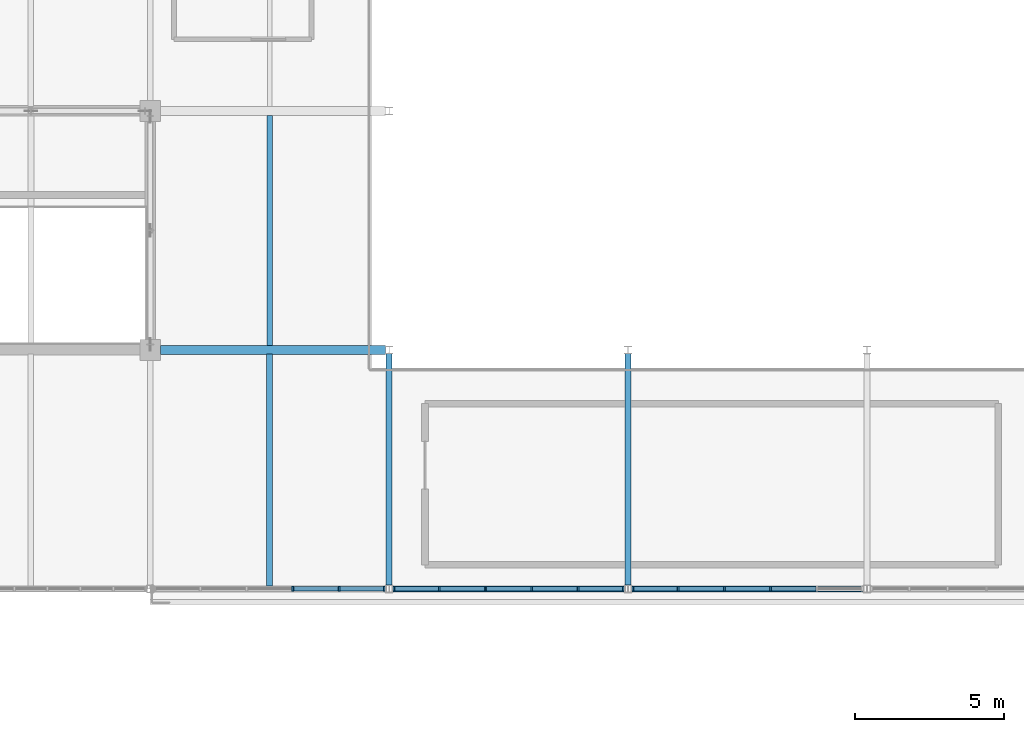
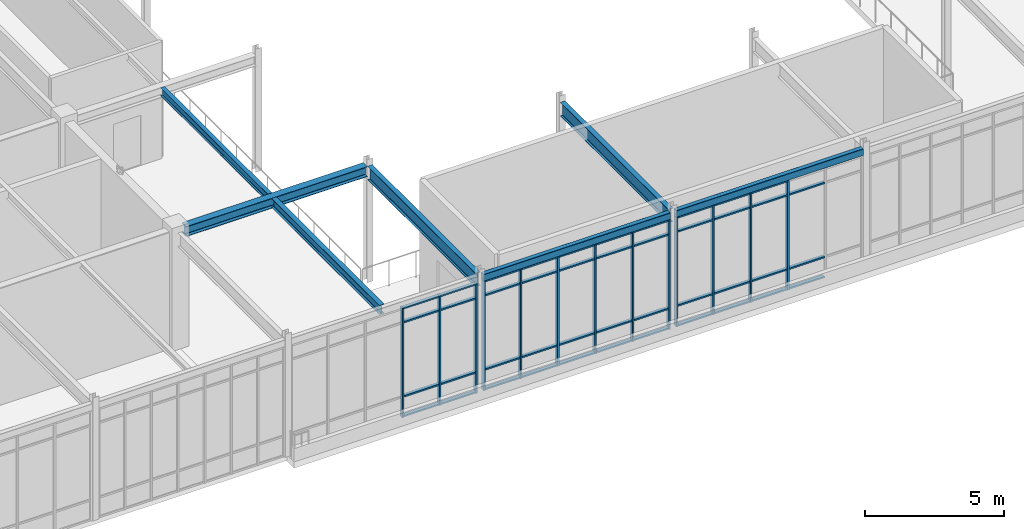
# One storey, part 72 of 184: 56 members, 7 beams, 3 elements without a shape of their own.
"""IFC4 building model written with IfcOpenShell, lengths in metres."""

from ifc_helpers import new_model, si_unit, direction, frame, origin, origin_2d, place, context, subcontext, project, spatial, rectangle, hollow_rectangle, i_section, extrude, material, material_profile, profile_set, type_object, element, aggregate, save


model = new_model("IFC4")

# Units and contexts
model_context = context("Model", 3, precision=1e-05, world=origin(), true_north=direction((0.0, 1.0)))
body_context = subcontext(model_context, "Body", "Model", "MODEL_VIEW")
ifc_project = project(units=[si_unit("LENGTHUNIT", "METRE"), si_unit("AREAUNIT", "SQUARE_METRE"), si_unit("VOLUMEUNIT", "CUBIC_METRE"), si_unit("PLANEANGLEUNIT", "RADIAN"), si_unit("MASSUNIT", "GRAM", prefix="KILO")], contexts=[model_context])

# Site, building, storey
site_placement = place(None, origin())
site = spatial("IfcSite", under=ifc_project, at=site_placement, CompositionType="ELEMENT")
building_placement = place(site_placement, origin())
building = spatial("IfcBuilding", under=site, at=building_placement, Name="Zhaolan Boulevard Law Courts", CompositionType="ELEMENT")
storey_placement = place(building_placement, frame((0.0, 0.0, 5.39990234375)))
storey = spatial("IfcBuildingStorey", under=building, at=storey_placement, Name="L01", CompositionType="ELEMENT", Elevation=5.39990234375)

# Curtain wall, members
ifc_material_1 = material(Name="Thermally broken aluminium and low-E glazing", Category="aluminium")
curtain_wall_type_1 = type_object("IfcCurtainWallType", Name="CURTAIN WALL M8", PredefinedType="USERDEFINED", material=ifc_material_1)
curtain_wall_1_placement = place(storey_placement, origin())
curtain_wall_1 = element("IfcCurtainWall", 1, at=curtain_wall_1_placement, inside=storey, type_object=curtain_wall_type_1, Name="Curtain Wall CW-L01-056", ObjectType="CURTAIN WALL", PredefinedType="USERDEFINED")
ifc_material_2 = material(Name="Fluorocarbon-coated aluminium 6063-T6", Category="aluminium")
ifc_material_profile_1 = material_profile(ifc_material_2, rectangle(XDim=0.179931640625, YDim=0.06494140625, at=origin_2d()), Name="AL65x180")
ifc_profile_set_1 = profile_set([ifc_material_profile_1], Name="Fluorocarbon-coated aluminium 6063-T6")
member_type_1 = type_object("IfcMemberType", Name="CWMULLION 65X180", PredefinedType="MULLION", material=ifc_profile_set_1)
member_1_placement = place(storey_placement, frame((128.774658203125, 6.0, 0.0), z_axis=(0.0, 0.0, 1.0), x_axis=(0.0, 1.0, 0.0)))
member_1 = element("IfcMember", 2, at=member_1_placement, type_object=member_type_1, Name="CW-L01-056 mullion 4", PredefinedType="MULLION", context=body_context, shape_type="SweptSolid", body=[
    extrude(rectangle(XDim=0.179931640625, YDim=0.06494140625, at=origin_2d()), origin(), (0.0, 0.0, 1.0), 4.802978515625),
])
member_2_placement = place(storey_placement, frame((130.32373046875, 6.0, 0.0), z_axis=(0.0, 0.0, 1.0), x_axis=(0.0, 1.0, 0.0)))
member_2 = element("IfcMember", 3, at=member_2_placement, type_object=member_type_1, Name="CW-L01-056 mullion 5", PredefinedType="MULLION", context=body_context, shape_type="SweptSolid", body=[
    extrude(rectangle(XDim=0.179931640625, YDim=0.06494140625, at=origin_2d()), origin(), (0.0, 0.0, 1.0), 4.802978515625),
])
member_3_placement = place(storey_placement, frame((131.840576171875, 6.0, 0.0), z_axis=(0.0, 0.0, 1.0), x_axis=(0.0, 1.0, 0.0)))
member_3 = element("IfcMember", 4, at=member_3_placement, type_object=member_type_1, Name="CW-L01-056 mullion 6", PredefinedType="MULLION", context=body_context, shape_type="SweptSolid", body=[
    extrude(rectangle(XDim=0.179931640625, YDim=0.06494140625, at=origin_2d()), origin(), (0.0, 0.0, 1.0), 4.802978515625),
])

ifc_material_3 = material(Name="Thermally broken aluminium and low-E glazing", Category="aluminium")
curtain_wall_type_2 = type_object("IfcCurtainWallType", Name="CURTAIN WALL M9", PredefinedType="USERDEFINED", material=ifc_material_3)
curtain_wall_2_placement = place(storey_placement, origin())
curtain_wall_2 = element("IfcCurtainWall", 5, at=curtain_wall_2_placement, inside=storey, type_object=curtain_wall_type_2, Name="Curtain Wall CW-L01-057", ObjectType="CURTAIN WALL", PredefinedType="USERDEFINED")
member_4_placement = place(storey_placement, frame((132.159423828125, 6.0, 0.0), z_axis=(0.0, 0.0, 1.0), x_axis=(0.0, 1.0, 0.0)))
member_4 = element("IfcMember", 6, at=member_4_placement, type_object=member_type_1, Name="CW-L01-057 mullion 1", PredefinedType="MULLION", context=body_context, shape_type="SweptSolid", body=[
    extrude(rectangle(XDim=0.179931640625, YDim=0.06494140625, at=origin_2d()), origin(), (0.0, 0.0, 1.0), 4.802978515625),
])
member_5_placement = place(storey_placement, frame((133.67626953125, 6.0, 0.0), z_axis=(0.0, 0.0, 1.0), x_axis=(0.0, 1.0, 0.0)))
member_5 = element("IfcMember", 7, at=member_5_placement, type_object=member_type_1, Name="CW-L01-057 mullion 2", PredefinedType="MULLION", context=body_context, shape_type="SweptSolid", body=[
    extrude(rectangle(XDim=0.179931640625, YDim=0.06494140625, at=origin_2d()), origin(), (0.0, 0.0, 1.0), 4.802978515625),
])
member_6_placement = place(storey_placement, frame((135.225341796875, 6.0, 0.0), z_axis=(0.0, 0.0, 1.0), x_axis=(0.0, 1.0, 0.0)))
member_6 = element("IfcMember", 8, at=member_6_placement, type_object=member_type_1, Name="CW-L01-057 mullion 3", PredefinedType="MULLION", context=body_context, shape_type="SweptSolid", body=[
    extrude(rectangle(XDim=0.179931640625, YDim=0.06494140625, at=origin_2d()), origin(), (0.0, 0.0, 1.0), 4.802978515625),
])
member_7_placement = place(storey_placement, frame((136.774658203125, 6.0, 0.0), z_axis=(0.0, 0.0, 1.0), x_axis=(0.0, 1.0, 0.0)))
member_7 = element("IfcMember", 9, at=member_7_placement, type_object=member_type_1, Name="CW-L01-057 mullion 4", PredefinedType="MULLION", context=body_context, shape_type="SweptSolid", body=[
    extrude(rectangle(XDim=0.179931640625, YDim=0.06494140625, at=origin_2d()), origin(), (0.0, 0.0, 1.0), 4.802978515625),
])
member_8_placement = place(storey_placement, frame((138.32373046875, 6.0, 0.0), z_axis=(0.0, 0.0, 1.0), x_axis=(0.0, 1.0, 0.0)))
member_8 = element("IfcMember", 10, at=member_8_placement, type_object=member_type_1, Name="CW-L01-057 mullion 5", PredefinedType="MULLION", context=body_context, shape_type="SweptSolid", body=[
    extrude(rectangle(XDim=0.179931640625, YDim=0.06494140625, at=origin_2d()), origin(), (0.0, 0.0, 1.0), 4.802978515625),
])
member_9_placement = place(storey_placement, frame((139.840576171875, 6.0, 0.0), z_axis=(0.0, 0.0, 1.0), x_axis=(0.0, 1.0, 0.0)))
member_9 = element("IfcMember", 11, at=member_9_placement, type_object=member_type_1, Name="CW-L01-057 mullion 6", PredefinedType="MULLION", context=body_context, shape_type="SweptSolid", body=[
    extrude(rectangle(XDim=0.179931640625, YDim=0.06494140625, at=origin_2d()), origin(), (0.0, 0.0, 1.0), 4.802978515625),
])

ifc_material_4 = material(Name="Thermally broken aluminium and low-E glazing", Category="aluminium")
curtain_wall_type_3 = type_object("IfcCurtainWallType", Name="CURTAIN WALL M10", PredefinedType="USERDEFINED", material=ifc_material_4)
curtain_wall_3_placement = place(storey_placement, origin())
curtain_wall_3 = element("IfcCurtainWall", 12, at=curtain_wall_3_placement, inside=storey, type_object=curtain_wall_type_3, Name="Curtain Wall CW-L01-058", ObjectType="CURTAIN WALL", PredefinedType="USERDEFINED")
member_10_placement = place(storey_placement, frame((140.159423828125, 6.0, 0.0), z_axis=(0.0, 0.0, 1.0), x_axis=(0.0, 1.0, 0.0)))
member_10 = element("IfcMember", 13, at=member_10_placement, type_object=member_type_1, Name="CW-L01-058 mullion 1", PredefinedType="MULLION", context=body_context, shape_type="SweptSolid", body=[
    extrude(rectangle(XDim=0.179931640625, YDim=0.06494140625, at=origin_2d()), origin(), (0.0, 0.0, 1.0), 4.802978515625),
])
member_11_placement = place(storey_placement, frame((141.67626953125, 6.0, 0.0), z_axis=(0.0, 0.0, 1.0), x_axis=(0.0, 1.0, 0.0)))
member_11 = element("IfcMember", 14, at=member_11_placement, type_object=member_type_1, Name="CW-L01-058 mullion 2", PredefinedType="MULLION", context=body_context, shape_type="SweptSolid", body=[
    extrude(rectangle(XDim=0.179931640625, YDim=0.06494140625, at=origin_2d()), origin(), (0.0, 0.0, 1.0), 4.802978515625),
])
member_12_placement = place(storey_placement, frame((143.225341796875, 6.0, 0.0), z_axis=(0.0, 0.0, 1.0), x_axis=(0.0, 1.0, 0.0)))
member_12 = element("IfcMember", 15, at=member_12_placement, type_object=member_type_1, Name="CW-L01-058 mullion 3", PredefinedType="MULLION", context=body_context, shape_type="SweptSolid", body=[
    extrude(rectangle(XDim=0.179931640625, YDim=0.06494140625, at=origin_2d()), origin(), (0.0, 0.0, 1.0), 4.802978515625),
])
member_13_placement = place(storey_placement, frame((144.774658203125, 6.0, 0.0), z_axis=(0.0, 0.0, 1.0), x_axis=(0.0, 1.0, 0.0)))
member_13 = element("IfcMember", 16, at=member_13_placement, type_object=member_type_1, Name="CW-L01-058 mullion 4", PredefinedType="MULLION", context=body_context, shape_type="SweptSolid", body=[
    extrude(rectangle(XDim=0.179931640625, YDim=0.06494140625, at=origin_2d()), origin(), (0.0, 0.0, 1.0), 4.802978515625),
])

# Member
ifc_material_5 = material(Name="Fluorocarbon-coated aluminium 6063-T6", Category="aluminium")
ifc_material_profile_2 = material_profile(ifc_material_5, rectangle(XDim=0.139892578125, YDim=0.06494140625, at=origin_2d()), Name="AL65x140")
ifc_profile_set_2 = profile_set([ifc_material_profile_2], Name="Fluorocarbon-coated aluminium 6063-T6")
member_type_2 = type_object("IfcMemberType", Name="CWTRANSOM 65X140", PredefinedType="USERDEFINED", material=ifc_profile_set_2)
member_14_placement = place(storey_placement, frame((128.80712890625, 6.0, 0.03271484375), z_axis=(1.0, 0.0, 0.0), x_axis=(0.0, 1.0, 0.0)))
member_14 = element("IfcMember", 17, at=member_14_placement, type_object=member_type_2, Name="CW-L01-056 transom 4.1", ObjectType="TRANSOM", PredefinedType="USERDEFINED", context=body_context, shape_type="SweptSolid", body=[
    extrude(rectangle(XDim=0.139892578125, YDim=0.06494140625, at=origin_2d()), origin(), (0.0, 0.0, 1.0), 1.484130859375),
])

member_15_placement = place(storey_placement, frame((128.80712890625, 6.0, 0.900146484375), z_axis=(1.0, 0.0, 0.0), x_axis=(0.0, 1.0, 0.0)))
member_15 = element("IfcMember", 18, at=member_15_placement, type_object=member_type_2, Name="CW-L01-056 transom 4.2", ObjectType="TRANSOM", PredefinedType="USERDEFINED", context=body_context, shape_type="SweptSolid", body=[
    extrude(rectangle(XDim=0.139892578125, YDim=0.06494140625, at=origin_2d()), origin(), (0.0, 0.0, 1.0), 1.484130859375),
])

member_16_placement = place(storey_placement, frame((128.80712890625, 6.0, 4.153076171875), z_axis=(1.0, 0.0, 0.0), x_axis=(0.0, 1.0, 0.0)))
member_16 = element("IfcMember", 19, at=member_16_placement, type_object=member_type_2, Name="CW-L01-056 transom 4.3", ObjectType="TRANSOM", PredefinedType="USERDEFINED", context=body_context, shape_type="SweptSolid", body=[
    extrude(rectangle(XDim=0.139892578125, YDim=0.06494140625, at=origin_2d()), origin(), (0.0, 0.0, 1.0), 1.484130859375),
])

member_17_placement = place(storey_placement, frame((128.80712890625, 6.0, 4.7705078125), z_axis=(1.0, 0.0, 0.0), x_axis=(0.0, 1.0, 0.0)))
member_17 = element("IfcMember", 20, at=member_17_placement, type_object=member_type_2, Name="CW-L01-056 transom 4.4", ObjectType="TRANSOM", PredefinedType="USERDEFINED", context=body_context, shape_type="SweptSolid", body=[
    extrude(rectangle(XDim=0.139892578125, YDim=0.06494140625, at=origin_2d()), origin(), (0.0, 0.0, 1.0), 1.484130859375),
])

member_18_placement = place(storey_placement, frame((130.356201171875, 6.0, 0.03271484375), z_axis=(1.0, 0.0, 0.0), x_axis=(0.0, 1.0, 0.0)))
member_18 = element("IfcMember", 21, at=member_18_placement, type_object=member_type_2, Name="CW-L01-056 transom 5.1", ObjectType="TRANSOM", PredefinedType="USERDEFINED", context=body_context, shape_type="SweptSolid", body=[
    extrude(rectangle(XDim=0.139892578125, YDim=0.06494140625, at=origin_2d()), origin(), (0.0, 0.0, 1.0), 1.451904296875),
])

member_19_placement = place(storey_placement, frame((130.356201171875, 6.0, 0.900146484375), z_axis=(1.0, 0.0, 0.0), x_axis=(0.0, 1.0, 0.0)))
member_19 = element("IfcMember", 22, at=member_19_placement, type_object=member_type_2, Name="CW-L01-056 transom 5.2", ObjectType="TRANSOM", PredefinedType="USERDEFINED", context=body_context, shape_type="SweptSolid", body=[
    extrude(rectangle(XDim=0.139892578125, YDim=0.06494140625, at=origin_2d()), origin(), (0.0, 0.0, 1.0), 1.451904296875),
])

member_20_placement = place(storey_placement, frame((130.356201171875, 6.0, 4.153076171875), z_axis=(1.0, 0.0, 0.0), x_axis=(0.0, 1.0, 0.0)))
member_20 = element("IfcMember", 23, at=member_20_placement, type_object=member_type_2, Name="CW-L01-056 transom 5.3", ObjectType="TRANSOM", PredefinedType="USERDEFINED", context=body_context, shape_type="SweptSolid", body=[
    extrude(rectangle(XDim=0.139892578125, YDim=0.06494140625, at=origin_2d()), origin(), (0.0, 0.0, 1.0), 1.451904296875),
])

member_21_placement = place(storey_placement, frame((130.356201171875, 6.0, 4.7705078125), z_axis=(1.0, 0.0, 0.0), x_axis=(0.0, 1.0, 0.0)))
member_21 = element("IfcMember", 24, at=member_21_placement, type_object=member_type_2, Name="CW-L01-056 transom 5.4", ObjectType="TRANSOM", PredefinedType="USERDEFINED", context=body_context, shape_type="SweptSolid", body=[
    extrude(rectangle(XDim=0.139892578125, YDim=0.06494140625, at=origin_2d()), origin(), (0.0, 0.0, 1.0), 1.451904296875),
])

aggregate(curtain_wall_1, [member_1, member_2, member_3, member_14, member_15, member_16, member_17, member_18, member_19, member_20, member_21])

member_22_placement = place(storey_placement, frame((132.19189453125, 6.0, 0.03271484375), z_axis=(1.0, 0.0, 0.0), x_axis=(0.0, 1.0, 0.0)))
member_22 = element("IfcMember", 25, at=member_22_placement, type_object=member_type_2, Name="CW-L01-057 transom 1.1", ObjectType="TRANSOM", PredefinedType="USERDEFINED", context=body_context, shape_type="SweptSolid", body=[
    extrude(rectangle(XDim=0.139892578125, YDim=0.06494140625, at=origin_2d()), origin(), (0.0, 0.0, 1.0), 1.451904296875),
])

member_23_placement = place(storey_placement, frame((132.19189453125, 6.0, 0.900146484375), z_axis=(1.0, 0.0, 0.0), x_axis=(0.0, 1.0, 0.0)))
member_23 = element("IfcMember", 26, at=member_23_placement, type_object=member_type_2, Name="CW-L01-057 transom 1.2", ObjectType="TRANSOM", PredefinedType="USERDEFINED", context=body_context, shape_type="SweptSolid", body=[
    extrude(rectangle(XDim=0.139892578125, YDim=0.06494140625, at=origin_2d()), origin(), (0.0, 0.0, 1.0), 1.451904296875),
])

member_24_placement = place(storey_placement, frame((132.19189453125, 6.0, 4.153076171875), z_axis=(1.0, 0.0, 0.0), x_axis=(0.0, 1.0, 0.0)))
member_24 = element("IfcMember", 27, at=member_24_placement, type_object=member_type_2, Name="CW-L01-057 transom 1.3", ObjectType="TRANSOM", PredefinedType="USERDEFINED", context=body_context, shape_type="SweptSolid", body=[
    extrude(rectangle(XDim=0.139892578125, YDim=0.06494140625, at=origin_2d()), origin(), (0.0, 0.0, 1.0), 1.451904296875),
])

member_25_placement = place(storey_placement, frame((132.19189453125, 6.0, 4.7705078125), z_axis=(1.0, 0.0, 0.0), x_axis=(0.0, 1.0, 0.0)))
member_25 = element("IfcMember", 28, at=member_25_placement, type_object=member_type_2, Name="CW-L01-057 transom 1.4", ObjectType="TRANSOM", PredefinedType="USERDEFINED", context=body_context, shape_type="SweptSolid", body=[
    extrude(rectangle(XDim=0.139892578125, YDim=0.06494140625, at=origin_2d()), origin(), (0.0, 0.0, 1.0), 1.451904296875),
])

member_26_placement = place(storey_placement, frame((133.708740234375, 6.0, 0.03271484375), z_axis=(1.0, 0.0, 0.0), x_axis=(0.0, 1.0, 0.0)))
member_26 = element("IfcMember", 29, at=member_26_placement, type_object=member_type_2, Name="CW-L01-057 transom 2.1", ObjectType="TRANSOM", PredefinedType="USERDEFINED", context=body_context, shape_type="SweptSolid", body=[
    extrude(rectangle(XDim=0.139892578125, YDim=0.06494140625, at=origin_2d()), origin(), (0.0, 0.0, 1.0), 1.484130859375),
])

member_27_placement = place(storey_placement, frame((133.708740234375, 6.0, 0.900146484375), z_axis=(1.0, 0.0, 0.0), x_axis=(0.0, 1.0, 0.0)))
member_27 = element("IfcMember", 30, at=member_27_placement, type_object=member_type_2, Name="CW-L01-057 transom 2.2", ObjectType="TRANSOM", PredefinedType="USERDEFINED", context=body_context, shape_type="SweptSolid", body=[
    extrude(rectangle(XDim=0.139892578125, YDim=0.06494140625, at=origin_2d()), origin(), (0.0, 0.0, 1.0), 1.484130859375),
])

member_28_placement = place(storey_placement, frame((133.708740234375, 6.0, 4.153076171875), z_axis=(1.0, 0.0, 0.0), x_axis=(0.0, 1.0, 0.0)))
member_28 = element("IfcMember", 31, at=member_28_placement, type_object=member_type_2, Name="CW-L01-057 transom 2.3", ObjectType="TRANSOM", PredefinedType="USERDEFINED", context=body_context, shape_type="SweptSolid", body=[
    extrude(rectangle(XDim=0.139892578125, YDim=0.06494140625, at=origin_2d()), origin(), (0.0, 0.0, 1.0), 1.484130859375),
])

member_29_placement = place(storey_placement, frame((133.708740234375, 6.0, 4.7705078125), z_axis=(1.0, 0.0, 0.0), x_axis=(0.0, 1.0, 0.0)))
member_29 = element("IfcMember", 32, at=member_29_placement, type_object=member_type_2, Name="CW-L01-057 transom 2.4", ObjectType="TRANSOM", PredefinedType="USERDEFINED", context=body_context, shape_type="SweptSolid", body=[
    extrude(rectangle(XDim=0.139892578125, YDim=0.06494140625, at=origin_2d()), origin(), (0.0, 0.0, 1.0), 1.484130859375),
])

member_30_placement = place(storey_placement, frame((135.2578125, 6.0, 0.03271484375), z_axis=(1.0, 0.0, 0.0), x_axis=(0.0, 1.0, 0.0)))
member_30 = element("IfcMember", 33, at=member_30_placement, type_object=member_type_2, Name="CW-L01-057 transom 3.1", ObjectType="TRANSOM", PredefinedType="USERDEFINED", context=body_context, shape_type="SweptSolid", body=[
    extrude(rectangle(XDim=0.139892578125, YDim=0.06494140625, at=origin_2d()), origin(), (0.0, 0.0, 1.0), 1.484375),
])

member_31_placement = place(storey_placement, frame((135.2578125, 6.0, 0.900146484375), z_axis=(1.0, 0.0, 0.0), x_axis=(0.0, 1.0, 0.0)))
member_31 = element("IfcMember", 34, at=member_31_placement, type_object=member_type_2, Name="CW-L01-057 transom 3.2", ObjectType="TRANSOM", PredefinedType="USERDEFINED", context=body_context, shape_type="SweptSolid", body=[
    extrude(rectangle(XDim=0.139892578125, YDim=0.06494140625, at=origin_2d()), origin(), (0.0, 0.0, 1.0), 1.484375),
])

member_32_placement = place(storey_placement, frame((135.2578125, 6.0, 4.153076171875), z_axis=(1.0, 0.0, 0.0), x_axis=(0.0, 1.0, 0.0)))
member_32 = element("IfcMember", 35, at=member_32_placement, type_object=member_type_2, Name="CW-L01-057 transom 3.3", ObjectType="TRANSOM", PredefinedType="USERDEFINED", context=body_context, shape_type="SweptSolid", body=[
    extrude(rectangle(XDim=0.139892578125, YDim=0.06494140625, at=origin_2d()), origin(), (0.0, 0.0, 1.0), 1.484375),
])

member_33_placement = place(storey_placement, frame((135.2578125, 6.0, 4.7705078125), z_axis=(1.0, 0.0, 0.0), x_axis=(0.0, 1.0, 0.0)))
member_33 = element("IfcMember", 36, at=member_33_placement, type_object=member_type_2, Name="CW-L01-057 transom 3.4", ObjectType="TRANSOM", PredefinedType="USERDEFINED", context=body_context, shape_type="SweptSolid", body=[
    extrude(rectangle(XDim=0.139892578125, YDim=0.06494140625, at=origin_2d()), origin(), (0.0, 0.0, 1.0), 1.484375),
])

member_34_placement = place(storey_placement, frame((136.80712890625, 6.0, 0.03271484375), z_axis=(1.0, 0.0, 0.0), x_axis=(0.0, 1.0, 0.0)))
member_34 = element("IfcMember", 37, at=member_34_placement, type_object=member_type_2, Name="CW-L01-057 transom 4.1", ObjectType="TRANSOM", PredefinedType="USERDEFINED", context=body_context, shape_type="SweptSolid", body=[
    extrude(rectangle(XDim=0.139892578125, YDim=0.06494140625, at=origin_2d()), origin(), (0.0, 0.0, 1.0), 1.484130859375),
])

member_35_placement = place(storey_placement, frame((136.80712890625, 6.0, 0.900146484375), z_axis=(1.0, 0.0, 0.0), x_axis=(0.0, 1.0, 0.0)))
member_35 = element("IfcMember", 38, at=member_35_placement, type_object=member_type_2, Name="CW-L01-057 transom 4.2", ObjectType="TRANSOM", PredefinedType="USERDEFINED", context=body_context, shape_type="SweptSolid", body=[
    extrude(rectangle(XDim=0.139892578125, YDim=0.06494140625, at=origin_2d()), origin(), (0.0, 0.0, 1.0), 1.484130859375),
])

member_36_placement = place(storey_placement, frame((136.80712890625, 6.0, 4.153076171875), z_axis=(1.0, 0.0, 0.0), x_axis=(0.0, 1.0, 0.0)))
member_36 = element("IfcMember", 39, at=member_36_placement, type_object=member_type_2, Name="CW-L01-057 transom 4.3", ObjectType="TRANSOM", PredefinedType="USERDEFINED", context=body_context, shape_type="SweptSolid", body=[
    extrude(rectangle(XDim=0.139892578125, YDim=0.06494140625, at=origin_2d()), origin(), (0.0, 0.0, 1.0), 1.484130859375),
])

member_37_placement = place(storey_placement, frame((136.80712890625, 6.0, 4.7705078125), z_axis=(1.0, 0.0, 0.0), x_axis=(0.0, 1.0, 0.0)))
member_37 = element("IfcMember", 40, at=member_37_placement, type_object=member_type_2, Name="CW-L01-057 transom 4.4", ObjectType="TRANSOM", PredefinedType="USERDEFINED", context=body_context, shape_type="SweptSolid", body=[
    extrude(rectangle(XDim=0.139892578125, YDim=0.06494140625, at=origin_2d()), origin(), (0.0, 0.0, 1.0), 1.484130859375),
])

member_38_placement = place(storey_placement, frame((138.356201171875, 6.0, 0.03271484375), z_axis=(1.0, 0.0, 0.0), x_axis=(0.0, 1.0, 0.0)))
member_38 = element("IfcMember", 41, at=member_38_placement, type_object=member_type_2, Name="CW-L01-057 transom 5.1", ObjectType="TRANSOM", PredefinedType="USERDEFINED", context=body_context, shape_type="SweptSolid", body=[
    extrude(rectangle(XDim=0.139892578125, YDim=0.06494140625, at=origin_2d()), origin(), (0.0, 0.0, 1.0), 1.451904296875),
])

member_39_placement = place(storey_placement, frame((138.356201171875, 6.0, 0.900146484375), z_axis=(1.0, 0.0, 0.0), x_axis=(0.0, 1.0, 0.0)))
member_39 = element("IfcMember", 42, at=member_39_placement, type_object=member_type_2, Name="CW-L01-057 transom 5.2", ObjectType="TRANSOM", PredefinedType="USERDEFINED", context=body_context, shape_type="SweptSolid", body=[
    extrude(rectangle(XDim=0.139892578125, YDim=0.06494140625, at=origin_2d()), origin(), (0.0, 0.0, 1.0), 1.451904296875),
])

member_40_placement = place(storey_placement, frame((138.356201171875, 6.0, 4.153076171875), z_axis=(1.0, 0.0, 0.0), x_axis=(0.0, 1.0, 0.0)))
member_40 = element("IfcMember", 43, at=member_40_placement, type_object=member_type_2, Name="CW-L01-057 transom 5.3", ObjectType="TRANSOM", PredefinedType="USERDEFINED", context=body_context, shape_type="SweptSolid", body=[
    extrude(rectangle(XDim=0.139892578125, YDim=0.06494140625, at=origin_2d()), origin(), (0.0, 0.0, 1.0), 1.451904296875),
])

member_41_placement = place(storey_placement, frame((138.356201171875, 6.0, 4.7705078125), z_axis=(1.0, 0.0, 0.0), x_axis=(0.0, 1.0, 0.0)))
member_41 = element("IfcMember", 44, at=member_41_placement, type_object=member_type_2, Name="CW-L01-057 transom 5.4", ObjectType="TRANSOM", PredefinedType="USERDEFINED", context=body_context, shape_type="SweptSolid", body=[
    extrude(rectangle(XDim=0.139892578125, YDim=0.06494140625, at=origin_2d()), origin(), (0.0, 0.0, 1.0), 1.451904296875),
])

aggregate(curtain_wall_2, [member_4, member_5, member_6, member_7, member_8, member_9, member_22, member_23, member_24, member_25, member_26, member_27, member_28, member_29, member_30, member_31, member_32, member_33, member_34, member_35, member_36, member_37, member_38, member_39, member_40, member_41])

member_42_placement = place(storey_placement, frame((140.19189453125, 6.0, 0.03271484375), z_axis=(1.0, 0.0, 0.0), x_axis=(0.0, 1.0, 0.0)))
member_42 = element("IfcMember", 45, at=member_42_placement, type_object=member_type_2, Name="CW-L01-058 transom 1.1", ObjectType="TRANSOM", PredefinedType="USERDEFINED", context=body_context, shape_type="SweptSolid", body=[
    extrude(rectangle(XDim=0.139892578125, YDim=0.06494140625, at=origin_2d()), origin(), (0.0, 0.0, 1.0), 1.451904296875),
])

member_43_placement = place(storey_placement, frame((140.19189453125, 6.0, 0.900146484375), z_axis=(1.0, 0.0, 0.0), x_axis=(0.0, 1.0, 0.0)))
member_43 = element("IfcMember", 46, at=member_43_placement, type_object=member_type_2, Name="CW-L01-058 transom 1.2", ObjectType="TRANSOM", PredefinedType="USERDEFINED", context=body_context, shape_type="SweptSolid", body=[
    extrude(rectangle(XDim=0.139892578125, YDim=0.06494140625, at=origin_2d()), origin(), (0.0, 0.0, 1.0), 1.451904296875),
])

member_44_placement = place(storey_placement, frame((140.19189453125, 6.0, 4.153076171875), z_axis=(1.0, 0.0, 0.0), x_axis=(0.0, 1.0, 0.0)))
member_44 = element("IfcMember", 47, at=member_44_placement, type_object=member_type_2, Name="CW-L01-058 transom 1.3", ObjectType="TRANSOM", PredefinedType="USERDEFINED", context=body_context, shape_type="SweptSolid", body=[
    extrude(rectangle(XDim=0.139892578125, YDim=0.06494140625, at=origin_2d()), origin(), (0.0, 0.0, 1.0), 1.451904296875),
])

member_45_placement = place(storey_placement, frame((140.19189453125, 6.0, 4.7705078125), z_axis=(1.0, 0.0, 0.0), x_axis=(0.0, 1.0, 0.0)))
member_45 = element("IfcMember", 48, at=member_45_placement, type_object=member_type_2, Name="CW-L01-058 transom 1.4", ObjectType="TRANSOM", PredefinedType="USERDEFINED", context=body_context, shape_type="SweptSolid", body=[
    extrude(rectangle(XDim=0.139892578125, YDim=0.06494140625, at=origin_2d()), origin(), (0.0, 0.0, 1.0), 1.451904296875),
])

member_46_placement = place(storey_placement, frame((141.708740234375, 6.0, 0.03271484375), z_axis=(1.0, 0.0, 0.0), x_axis=(0.0, 1.0, 0.0)))
member_46 = element("IfcMember", 49, at=member_46_placement, type_object=member_type_2, Name="CW-L01-058 transom 2.1", ObjectType="TRANSOM", PredefinedType="USERDEFINED", context=body_context, shape_type="SweptSolid", body=[
    extrude(rectangle(XDim=0.139892578125, YDim=0.06494140625, at=origin_2d()), origin(), (0.0, 0.0, 1.0), 1.484130859375),
])

member_47_placement = place(storey_placement, frame((141.708740234375, 6.0, 0.900146484375), z_axis=(1.0, 0.0, 0.0), x_axis=(0.0, 1.0, 0.0)))
member_47 = element("IfcMember", 50, at=member_47_placement, type_object=member_type_2, Name="CW-L01-058 transom 2.2", ObjectType="TRANSOM", PredefinedType="USERDEFINED", context=body_context, shape_type="SweptSolid", body=[
    extrude(rectangle(XDim=0.139892578125, YDim=0.06494140625, at=origin_2d()), origin(), (0.0, 0.0, 1.0), 1.484130859375),
])

member_48_placement = place(storey_placement, frame((141.708740234375, 6.0, 4.153076171875), z_axis=(1.0, 0.0, 0.0), x_axis=(0.0, 1.0, 0.0)))
member_48 = element("IfcMember", 51, at=member_48_placement, type_object=member_type_2, Name="CW-L01-058 transom 2.3", ObjectType="TRANSOM", PredefinedType="USERDEFINED", context=body_context, shape_type="SweptSolid", body=[
    extrude(rectangle(XDim=0.139892578125, YDim=0.06494140625, at=origin_2d()), origin(), (0.0, 0.0, 1.0), 1.484130859375),
])

member_49_placement = place(storey_placement, frame((141.708740234375, 6.0, 4.7705078125), z_axis=(1.0, 0.0, 0.0), x_axis=(0.0, 1.0, 0.0)))
member_49 = element("IfcMember", 52, at=member_49_placement, type_object=member_type_2, Name="CW-L01-058 transom 2.4", ObjectType="TRANSOM", PredefinedType="USERDEFINED", context=body_context, shape_type="SweptSolid", body=[
    extrude(rectangle(XDim=0.139892578125, YDim=0.06494140625, at=origin_2d()), origin(), (0.0, 0.0, 1.0), 1.484130859375),
])

member_50_placement = place(storey_placement, frame((143.2578125, 6.0, 0.03271484375), z_axis=(1.0, 0.0, 0.0), x_axis=(0.0, 1.0, 0.0)))
member_50 = element("IfcMember", 53, at=member_50_placement, type_object=member_type_2, Name="CW-L01-058 transom 3.1", ObjectType="TRANSOM", PredefinedType="USERDEFINED", context=body_context, shape_type="SweptSolid", body=[
    extrude(rectangle(XDim=0.139892578125, YDim=0.06494140625, at=origin_2d()), origin(), (0.0, 0.0, 1.0), 1.484375),
])

member_51_placement = place(storey_placement, frame((143.2578125, 6.0, 0.900146484375), z_axis=(1.0, 0.0, 0.0), x_axis=(0.0, 1.0, 0.0)))
member_51 = element("IfcMember", 54, at=member_51_placement, type_object=member_type_2, Name="CW-L01-058 transom 3.2", ObjectType="TRANSOM", PredefinedType="USERDEFINED", context=body_context, shape_type="SweptSolid", body=[
    extrude(rectangle(XDim=0.139892578125, YDim=0.06494140625, at=origin_2d()), origin(), (0.0, 0.0, 1.0), 1.484375),
])

member_52_placement = place(storey_placement, frame((143.2578125, 6.0, 4.153076171875), z_axis=(1.0, 0.0, 0.0), x_axis=(0.0, 1.0, 0.0)))
member_52 = element("IfcMember", 55, at=member_52_placement, type_object=member_type_2, Name="CW-L01-058 transom 3.3", ObjectType="TRANSOM", PredefinedType="USERDEFINED", context=body_context, shape_type="SweptSolid", body=[
    extrude(rectangle(XDim=0.139892578125, YDim=0.06494140625, at=origin_2d()), origin(), (0.0, 0.0, 1.0), 1.484375),
])

member_53_placement = place(storey_placement, frame((143.2578125, 6.0, 4.7705078125), z_axis=(1.0, 0.0, 0.0), x_axis=(0.0, 1.0, 0.0)))
member_53 = element("IfcMember", 56, at=member_53_placement, type_object=member_type_2, Name="CW-L01-058 transom 3.4", ObjectType="TRANSOM", PredefinedType="USERDEFINED", context=body_context, shape_type="SweptSolid", body=[
    extrude(rectangle(XDim=0.139892578125, YDim=0.06494140625, at=origin_2d()), origin(), (0.0, 0.0, 1.0), 1.484375),
])

member_54_placement = place(storey_placement, frame((144.80712890625, 6.0, 0.03271484375), z_axis=(1.0, 0.0, 0.0), x_axis=(0.0, 1.0, 0.0)))
member_54 = element("IfcMember", 57, at=member_54_placement, type_object=member_type_2, Name="CW-L01-058 transom 4.1", ObjectType="TRANSOM", PredefinedType="USERDEFINED", context=body_context, shape_type="SweptSolid", body=[
    extrude(rectangle(XDim=0.139892578125, YDim=0.06494140625, at=origin_2d()), origin(), (0.0, 0.0, 1.0), 1.484130859375),
])

member_55_placement = place(storey_placement, frame((144.80712890625, 6.0, 0.900146484375), z_axis=(1.0, 0.0, 0.0), x_axis=(0.0, 1.0, 0.0)))
member_55 = element("IfcMember", 58, at=member_55_placement, type_object=member_type_2, Name="CW-L01-058 transom 4.2", ObjectType="TRANSOM", PredefinedType="USERDEFINED", context=body_context, shape_type="SweptSolid", body=[
    extrude(rectangle(XDim=0.139892578125, YDim=0.06494140625, at=origin_2d()), origin(), (0.0, 0.0, 1.0), 1.484130859375),
])

member_56_placement = place(storey_placement, frame((144.80712890625, 6.0, 4.153076171875), z_axis=(1.0, 0.0, 0.0), x_axis=(0.0, 1.0, 0.0)))
member_56 = element("IfcMember", 59, at=member_56_placement, type_object=member_type_2, Name="CW-L01-058 transom 4.3", ObjectType="TRANSOM", PredefinedType="USERDEFINED", context=body_context, shape_type="SweptSolid", body=[
    extrude(rectangle(XDim=0.139892578125, YDim=0.06494140625, at=origin_2d()), origin(), (0.0, 0.0, 1.0), 1.484130859375),
])

aggregate(curtain_wall_3, [member_10, member_11, member_12, member_13, member_42, member_43, member_44, member_45, member_46, member_47, member_48, member_49, member_50, member_51, member_52, member_53, member_54, member_55, member_56])

# Beams
ifc_material_6 = material(Name="Structural steel Q355B", Category="steel")
ifc_material_profile_3 = material_profile(ifc_material_6, i_section(OverallWidth=0.300048828125, OverallDepth=0.43994140625, WebThickness=0.010986328125, FlangeThickness=0.01806640625, FilletRadius=0.02001953125, at=origin_2d()), Name="HM440x300")
ifc_profile_set_3 = profile_set([ifc_material_profile_3], Name="Structural steel Q355B")
beam_type_1 = type_object("IfcBeamType", Name="GIRDER HM440", PredefinedType="BEAM", material=ifc_profile_set_3)
beam_1_placement = place(storey_placement, frame((124.345947265625, 14.0, 4.898193359375), z_axis=(1.0, 0.0, 0.0), x_axis=(0.0, 1.0, 0.0)))
element("IfcBeam", 60, at=beam_1_placement, inside=storey, type_object=beam_type_1, Name="Beam BX-L02-16-17-C", PredefinedType="BEAM", context=body_context, shape_type="SweptSolid", body=[
    extrude(i_section(OverallWidth=0.300048828125, OverallDepth=0.43994140625, WebThickness=0.010986328125, FlangeThickness=0.01806640625, FilletRadius=0.02001953125, at=origin_2d()), origin(), (0.0, 0.0, 1.0), 7.532958984375),
])
ifc_material_7 = material(Name="Structural steel Q355B", Category="steel")
ifc_material_profile_4 = material_profile(ifc_material_7, i_section(OverallWidth=0.199951171875, OverallDepth=0.60009765625, WebThickness=0.010986328125, FlangeThickness=0.01708984375, FilletRadius=0.02001953125, at=origin_2d()), Name="HN600x200")
ifc_profile_set_4 = profile_set([ifc_material_profile_4], Name="Structural steel Q355B")
beam_type_2 = type_object("IfcBeamType", Name="GIRDER HN600", PredefinedType="BEAM", material=ifc_profile_set_4)
for number, where, z_axis, x_axis, name in (
    (61, (132.0, 6.12109375, 4.818115234375), (0.0, 1.0, 0.0), (-1.0, 0.0, 0.0), "Beam BY-L02-17-B-C"),
    (62, (140.0, 6.12109375, 4.818115234375), (0.0, 1.0, 0.0), (-1.0, 0.0, 0.0), "Beam BY-L02-18-B-C"),
):
    element("IfcBeam", number, at=place(storey_placement, frame(where, z_axis=z_axis, x_axis=x_axis)), inside=storey, type_object=beam_type_2, Name=name, PredefinedType="BEAM", context=body_context, shape_type="SweptSolid", body=[
        extrude(i_section(OverallWidth=0.199951171875, OverallDepth=0.60009765625, WebThickness=0.010986328125, FlangeThickness=0.01708984375, FilletRadius=0.02001953125, at=origin_2d()), origin(), (0.0, 0.0, 1.0), 7.7578125),
    ])
ifc_material_8 = material(Name="Structural steel Q355B", Category="steel")
ifc_material_profile_5 = material_profile(ifc_material_8, i_section(OverallWidth=0.175048828125, OverallDepth=0.35009765625, WebThickness=0.007080078125, FlangeThickness=0.010986328125, FilletRadius=0.012939453125, at=origin_2d()), Name="HN350x175")
ifc_profile_set_5 = profile_set([ifc_material_profile_5], Name="Structural steel Q355B")
beam_type_3 = type_object("IfcBeamType", Name="JOIST HN350", PredefinedType="JOIST", material=ifc_profile_set_5)
beam_2_placement = place(storey_placement, frame((128.0, 14.14599609375, 4.943115234375), z_axis=(0.0, 1.0, 0.0), x_axis=(-1.0, 0.0, 0.0)))
element("IfcBeam", 63, at=beam_2_placement, inside=storey, type_object=beam_type_3, Name="Composite Joist J-L02-16C", PredefinedType="JOIST", context=body_context, shape_type="SweptSolid", body=[
    extrude(i_section(OverallWidth=0.175048828125, OverallDepth=0.35009765625, WebThickness=0.007080078125, FlangeThickness=0.010986328125, FilletRadius=0.012939453125, at=origin_2d()), origin(), (0.0, 0.0, 1.0), 7.7080078125),
])
ifc_material_9 = material(Name="Structural steel Q355B", Category="steel")
ifc_material_profile_6 = material_profile(ifc_material_9, i_section(OverallWidth=0.199951171875, OverallDepth=0.39990234375, WebThickness=0.008056640625, FlangeThickness=0.012939453125, FilletRadius=0.013916015625, at=origin_2d()), Name="HN400x200")
ifc_profile_set_6 = profile_set([ifc_material_profile_6], Name="Structural steel Q355B")
beam_type_4 = type_object("IfcBeamType", Name="JOIST HN400", PredefinedType="JOIST", material=ifc_profile_set_6)
beam_3_placement = place(storey_placement, frame((128.0, 6.095947265625, 4.918212890625), z_axis=(0.0, 1.0, 0.0), x_axis=(-1.0, 0.0, 0.0)))
element("IfcBeam", 64, at=beam_3_placement, inside=storey, type_object=beam_type_4, Name="Composite Joist J-L02-16B", PredefinedType="JOIST", context=body_context, shape_type="SweptSolid", body=[
    extrude(i_section(OverallWidth=0.199951171875, OverallDepth=0.39990234375, WebThickness=0.008056640625, FlangeThickness=0.012939453125, FilletRadius=0.013916015625, at=origin_2d()), origin(), (0.0, 0.0, 1.0), 7.758056640625),
])
ifc_material_10 = material(Name="Structural steel Q355B", Category="steel")
ifc_material_profile_7 = material_profile(ifc_material_10, hollow_rectangle(XDim=0.199951171875, YDim=0.300048828125, WallThickness=0.011962890625, InnerFilletRadius=0.011962890625, OuterFilletRadius=0.02392578125, at=origin_2d()), Name="HSS300x200x12")
ifc_profile_set_7 = profile_set([ifc_material_profile_7], Name="Structural steel Q355B")
beam_type_5 = type_object("IfcBeamType", Name="SPANDREL HSS300", PredefinedType="SPANDREL", material=ifc_profile_set_7)
for number, where, z_axis, x_axis, name in (
    (65, (132.12109375, 6.0, 4.968017578125), (1.0, 0.0, 0.0), (0.0, 1.0, 0.0), "Beam BX-L02-17-18-B"),
    (66, (140.12109375, 6.0, 4.968017578125), (1.0, 0.0, 0.0), (0.0, 1.0, 0.0), "Beam BX-L02-18-19-B"),
):
    element("IfcBeam", number, at=place(storey_placement, frame(where, z_axis=z_axis, x_axis=x_axis)), inside=storey, type_object=beam_type_5, Name=name, PredefinedType="SPANDREL", context=body_context, shape_type="SweptSolid", body=[
        extrude(hollow_rectangle(XDim=0.199951171875, YDim=0.300048828125, WallThickness=0.011962890625, InnerFilletRadius=0.011962890625, OuterFilletRadius=0.02392578125, at=origin_2d()), origin(), (0.0, 0.0, 1.0), 7.7578125),
    ])

save(model, "model.ifc")
